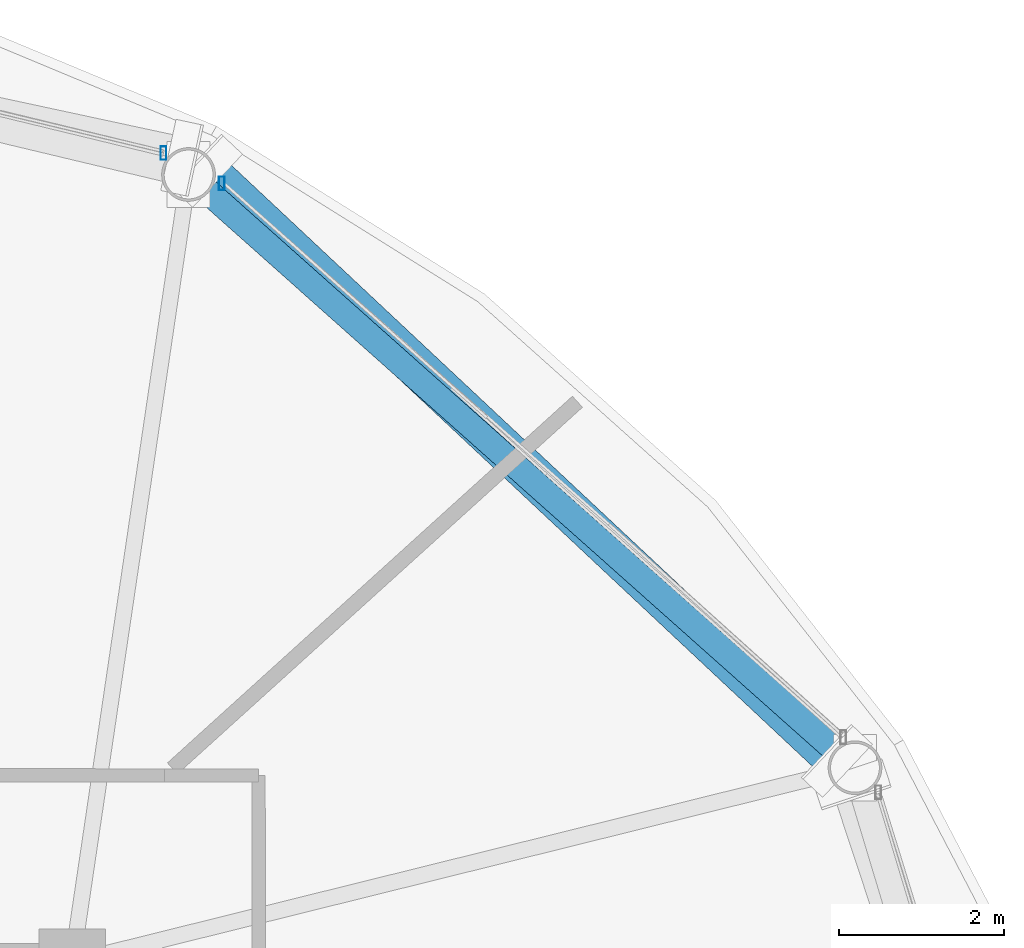
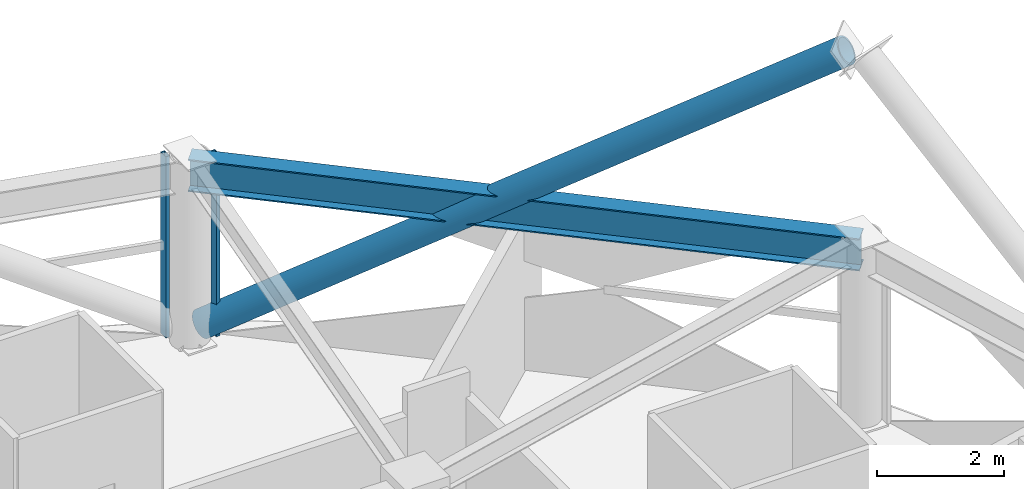
# One storey, part 19 of 29: 3 members, 1 beam, 2 elements without a shape of their own.
"""IFC4 building model written with IfcOpenShell, lengths in metres."""

from ifc_helpers import new_model, si_unit, direction, frame, origin, origin_2d, place, context, subcontext, project, spatial, hollow_rectangle, hollow_circle, i_section, extrude, material, layer, layer_set, material_profile, profile_set, type_object, element, aggregate, save


model = new_model("IFC4")

# Units and contexts
model_context = context("Model", 3, precision=1e-05, world=origin(), true_north=direction((0.0, 1.0)))
body_context = subcontext(model_context, "Body", "Model", "MODEL_VIEW")
ifc_project = project(units=[si_unit("LENGTHUNIT", "METRE"), si_unit("AREAUNIT", "SQUARE_METRE"), si_unit("VOLUMEUNIT", "CUBIC_METRE"), si_unit("PLANEANGLEUNIT", "RADIAN"), si_unit("MASSUNIT", "GRAM", prefix="KILO")], contexts=[model_context])

# Site, building, storey
site_placement = place(None, origin())
site = spatial("IfcSite", under=ifc_project, at=site_placement, CompositionType="ELEMENT")
building_placement = place(site_placement, origin())
building = spatial("IfcBuilding", under=site, at=building_placement, Name="Vantalir Tower", CompositionType="ELEMENT")
storey_placement = place(building_placement, frame((0.0, 0.0, 227.39990234375)))
storey = spatial("IfcBuildingStorey", under=building, at=storey_placement, Name="L57", CompositionType="ELEMENT", Elevation=227.39990234375)

# Beam
ifc_material_1 = material(Name="Steel S460", Category="steel")
ifc_material_profile_1 = material_profile(ifc_material_1, i_section(OverallWidth=0.306884765625, OverallDepth=0.6201171875, WebThickness=0.01416015625, FlangeThickness=0.023681640625, at=origin_2d()), Name="Steel S460")
ifc_profile_set_1 = profile_set([ifc_material_profile_1], Name="Steel S460")
beam_type = type_object("IfcBeamType", Name="BM-RG-610x305", PredefinedType="USERDEFINED", material=ifc_profile_set_1)
beam_placement = place(storey_placement, frame((50.56396484375, 34.798095703125, 3.260009765625), z_axis=(-0.746934658409, 0.664897447782, 0.0), x_axis=(-0.664897447782, -0.746934658409, 0.0)))
element("IfcBeam", 1, at=beam_placement, inside=storey, type_object=beam_type, Name="L57 Circumferential Ring Girder 02", ObjectType="GIRDER", PredefinedType="USERDEFINED", context=body_context, shape_type="SweptSolid", body=[
    extrude(i_section(OverallWidth=0.306884765625, OverallDepth=0.6201171875, WebThickness=0.01416015625, FlangeThickness=0.023681640625, at=origin_2d()), origin(), (0.0, 0.0, 1.0), 10.787841796875),
])

# Curtain wall, member
ifc_material_2 = material(Name="Champagne-silver PVDF aluminium and double-silver Low-E glass", Category="aluminium")
ifc_layer = layer(ifc_material_2, 0.2099609375)
ifc_layer_set = layer_set([ifc_layer], Name="Champagne-silver PVDF aluminium and double-silver Low-E glass")
curtain_wall_type = type_object("IfcCurtainWallType", Name="CW-DIAMOND-Z3", PredefinedType="USERDEFINED", material=ifc_layer_set)
curtain_wall_1_placement = place(storey_placement, origin())
curtain_wall_1 = element("IfcCurtainWall", 2, at=curtain_wall_1_placement, inside=storey, type_object=curtain_wall_type, Name="L57 Quilted Pyramid-Diamond Curtain Wall S02", ObjectType="UNITISED CURTAIN WALL", PredefinedType="USERDEFINED")
ifc_material_3 = material(Name="Champagne-silver PVDF aluminium 6063-T6", Category="aluminium")
ifc_material_profile_2 = material_profile(ifc_material_3, hollow_rectangle(XDim=0.070068359375, YDim=0.1650390625, WallThickness=0.00390625, at=origin_2d()), Name="Champagne-silver PVDF aluminium 6063-T6")
ifc_profile_set_2 = profile_set([ifc_material_profile_2], Name="Champagne-silver PVDF aluminium 6063-T6")
member_type_1 = type_object("IfcMemberType", Name="CWM-165x70", PredefinedType="MULLION", material=ifc_profile_set_2)
member_1_placement = place(storey_placement, frame((42.907958984375, 41.862060546875, 0.045166015625), z_axis=(0.0, 0.0, 1.0), x_axis=(1.0, 0.0, 0.0)))
member_1 = element("IfcMember", 3, at=member_1_placement, type_object=member_type_1, Name="CW-L57-S02 Mullion 2", PredefinedType="MULLION", context=body_context, shape_type="SweptSolid", body=[
    extrude(hollow_rectangle(XDim=0.070068359375, YDim=0.1650390625, WallThickness=0.00390625, at=origin_2d()), origin(), (0.0, 0.0, 1.0), 3.47998046875),
])
aggregate(curtain_wall_1, [member_1])

curtain_wall_2_placement = place(storey_placement, origin())
curtain_wall_2 = element("IfcCurtainWall", 4, at=curtain_wall_2_placement, inside=storey, type_object=curtain_wall_type, Name="L57 Quilted Pyramid-Diamond Curtain Wall S03", ObjectType="UNITISED CURTAIN WALL", PredefinedType="USERDEFINED")
member_2_placement = place(storey_placement, frame((42.202880859375, 42.22998046875, 0.045166015625), z_axis=(0.0, 0.0, 1.0), x_axis=(1.0, 0.0, 0.0)))
member_2 = element("IfcMember", 5, at=member_2_placement, type_object=member_type_1, Name="CW-L57-S03 Mullion 1", PredefinedType="MULLION", context=body_context, shape_type="SweptSolid", body=[
    extrude(hollow_rectangle(XDim=0.070068359375, YDim=0.1650390625, WallThickness=0.00390625, at=origin_2d()), origin(), (0.0, 0.0, 1.0), 3.47998046875),
])
aggregate(curtain_wall_2, [member_2])

# Member
ifc_material_profile_3 = material_profile(ifc_material_1, hollow_circle(Radius=0.25, WallThickness=0.031982421875, at=origin_2d()), Name="Steel S460")
ifc_profile_set_3 = profile_set([ifc_material_profile_3], Name="Steel S460")
member_type_2 = type_object("IfcMemberType", Name="MEM-DB-500x32", PredefinedType="BRACE", material=ifc_profile_set_3)
member_3_placement = place(storey_placement, frame((42.736083984375, 42.010009765625, 0.2021484375), z_axis=(0.607971808429, -0.569668530279, 0.553035302459), x_axis=(0.683746243639, 0.729719860158, 0.0)))
element("IfcMember", 6, at=member_3_placement, inside=storey, type_object=member_type_2, Name="L57 Perimeter S460 Diagrid Brace R07R", PredefinedType="BRACE", context=body_context, shape_type="SweptSolid", body=[
    extrude(hollow_circle(Radius=0.25, WallThickness=0.031982421875, at=origin_2d()), origin(), (0.0, 0.0, 1.0), 12.505615234375),
])

save(model, "model.ifc")
